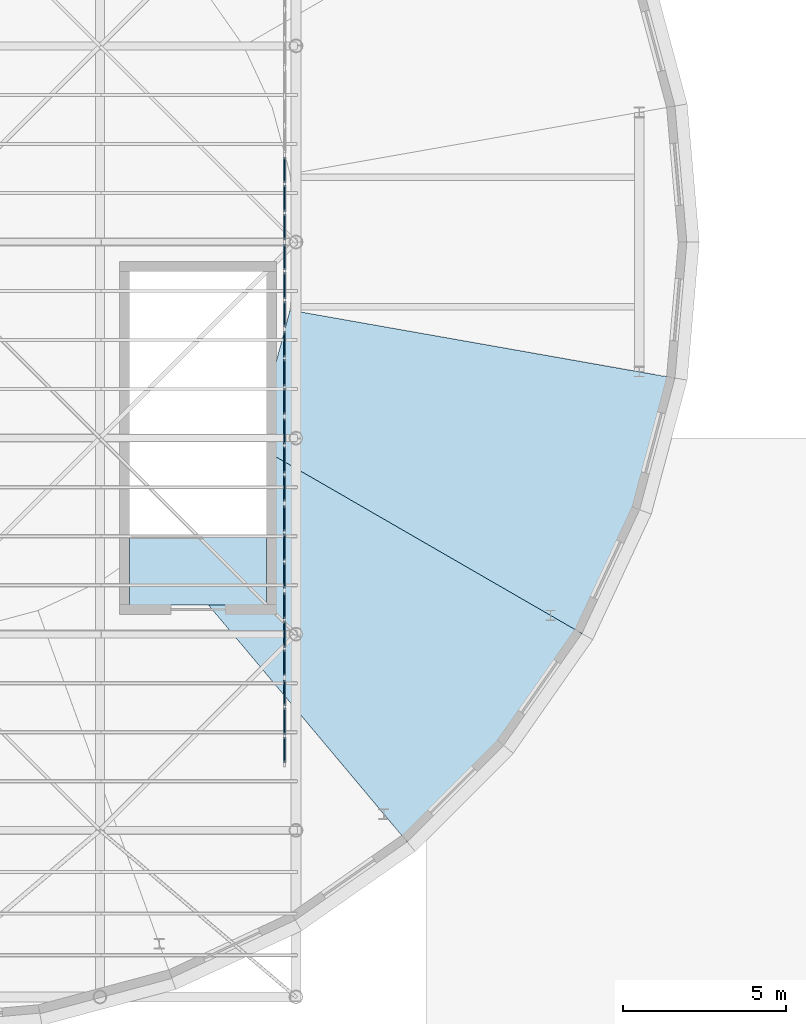
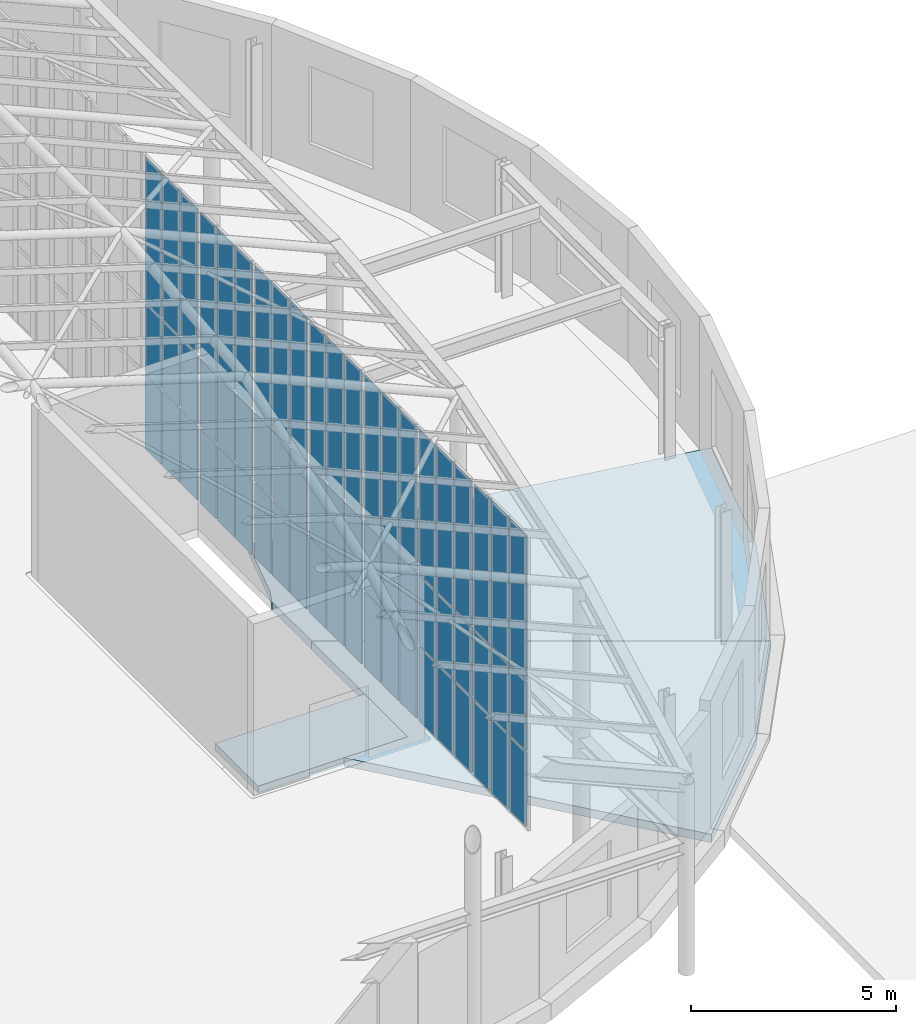
# One storey, part 58 of 75: 63 plates, 3 slabs, 7 elements without a shape of their own.
"""IFC4 building model written with IfcOpenShell, lengths in metres."""

from ifc_helpers import new_model, si_unit, direction, frame, origin, origin_2d, place, context, subcontext, project, spatial, polyline, rectangle, outline, extrude, material, layer, layer_set, type_object, element, aggregate, save


model = new_model("IFC4")

# Units and contexts
model_context = context("Model", 3, precision=1e-05, world=origin(), true_north=direction((0.0, 1.0)))
body_context = subcontext(model_context, "Body", "Model", "MODEL_VIEW")
ifc_project = project(units=[si_unit("LENGTHUNIT", "METRE"), si_unit("AREAUNIT", "SQUARE_METRE"), si_unit("VOLUMEUNIT", "CUBIC_METRE"), si_unit("PLANEANGLEUNIT", "RADIAN"), si_unit("MASSUNIT", "GRAM", prefix="KILO")], contexts=[model_context])

# Site, building, storey
site_placement = place(None, origin())
site = spatial("IfcSite", under=ifc_project, at=site_placement, CompositionType="ELEMENT")
building_placement = place(site_placement, origin())
building = spatial("IfcBuilding", under=site, at=building_placement, Name="Kolvaren Corner Interchange", CompositionType="ELEMENT")
storey_placement = place(building_placement, frame((0.0, 0.0, 10.5)))
storey = spatial("IfcBuildingStorey", under=building, at=storey_placement, Name="L03", CompositionType="ELEMENT", Elevation=10.5)

# Curtain wall, plates
ifc_material_1 = material(Name="Unitised Aluminium and Solar-Control Glass Curtain Wall", Category="aluminium")
curtain_wall_type = type_object("IfcCurtainWallType", Name="CW-V1-CLER", PredefinedType="NOTDEFINED", material=ifc_material_1)
curtain_wall_1_placement = place(storey_placement, origin())
curtain_wall_1 = element("IfcCurtainWall", 1, at=curtain_wall_1_placement, inside=storey, type_object=curtain_wall_type, Name="Gridshell East End Curtain Wall Bay 01", PredefinedType="NOTDEFINED")
ifc_material_2 = material(Name="Low-E Solar-Control Laminated Glass", Category="glass")
ifc_layer_1 = layer(ifc_material_2, 0.035888671875)
ifc_layer_set_1 = layer_set([ifc_layer_1], Name="Low-E Solar-Control Laminated Glass")
plate_type = type_object("IfcPlateType", Name="PLT-CW-GL32", PredefinedType="CURTAIN_PANEL", material=ifc_layer_set_1)
plate_1_placement = place(storey_placement, frame((131.64990234375, 32.4619140625, 0.06005859375), z_axis=(0.0, 0.0, 1.0), x_axis=(0.0, 1.0, 0.0)))
plate_1 = element("IfcPlate", 2, at=plate_1_placement, type_object=plate_type, Name="CW-094 panel 1.1", PredefinedType="CURTAIN_PANEL", context=body_context, shape_type="SweptSolid", body=[
    extrude(rectangle(XDim=0.783935546875, YDim=0.035888671875, at=origin_2d()), origin(), (0.0, 0.0, 1.0), 2.2099609375),
])
plate_2_placement = place(storey_placement, frame((131.64990234375, 32.4619140625, 2.330078125), z_axis=(0.0, 0.0, 1.0), x_axis=(0.0, 1.0, 0.0)))
plate_2 = element("IfcPlate", 3, at=plate_2_placement, type_object=plate_type, Name="CW-094 panel 1.2", PredefinedType="CURTAIN_PANEL", context=body_context, shape_type="SweptSolid", body=[
    extrude(rectangle(XDim=0.783935546875, YDim=0.035888671875, at=origin_2d()), origin(), (0.0, 0.0, 1.0), 2.0400390625),
])
plate_3_placement = place(storey_placement, frame((131.64990234375, 32.4619140625, 4.43017578125), z_axis=(0.0, 0.0, 1.0), x_axis=(0.0, 1.0, 0.0)))
plate_3 = element("IfcPlate", 4, at=plate_3_placement, type_object=plate_type, Name="CW-094 panel 1.3", PredefinedType="CURTAIN_PANEL", context=body_context, shape_type="SweptSolid", body=[
    extrude(rectangle(XDim=0.783935546875, YDim=0.035888671875, at=origin_2d()), origin(), (0.0, 0.0, 1.0), 4.281982421875),
])
plate_4_placement = place(storey_placement, frame((131.64990234375, 33.333251953125, 0.06005859375), z_axis=(0.0, 0.0, 1.0), x_axis=(0.0, 1.0, 0.0)))
plate_4 = element("IfcPlate", 5, at=plate_4_placement, type_object=plate_type, Name="CW-094 panel 2.1", PredefinedType="CURTAIN_PANEL", context=body_context, shape_type="SweptSolid", body=[
    extrude(rectangle(XDim=0.81884765625, YDim=0.035888671875, at=origin_2d()), origin(), (0.0, 0.0, 1.0), 2.2099609375),
])
plate_5_placement = place(storey_placement, frame((131.64990234375, 33.333251953125, 2.330078125), z_axis=(0.0, 0.0, 1.0), x_axis=(0.0, 1.0, 0.0)))
plate_5 = element("IfcPlate", 6, at=plate_5_placement, type_object=plate_type, Name="CW-094 panel 2.2", PredefinedType="CURTAIN_PANEL", context=body_context, shape_type="SweptSolid", body=[
    extrude(rectangle(XDim=0.81884765625, YDim=0.035888671875, at=origin_2d()), origin(), (0.0, 0.0, 1.0), 2.0400390625),
])
plate_6_placement = place(storey_placement, frame((131.64990234375, 33.333251953125, 4.43017578125), z_axis=(0.0, 0.0, 1.0), x_axis=(0.0, 1.0, 0.0)))
plate_6 = element("IfcPlate", 7, at=plate_6_placement, type_object=plate_type, Name="CW-094 panel 2.3", PredefinedType="CURTAIN_PANEL", context=body_context, shape_type="SweptSolid", body=[
    extrude(rectangle(XDim=0.81884765625, YDim=0.035888671875, at=origin_2d()), origin(), (0.0, 0.0, 1.0), 4.281982421875),
])
plate_7_placement = place(storey_placement, frame((131.64990234375, 34.204833984375, 0.06005859375), z_axis=(0.0, 0.0, 1.0), x_axis=(0.0, 1.0, 0.0)))
plate_7 = element("IfcPlate", 8, at=plate_7_placement, type_object=plate_type, Name="CW-094 panel 3.1", PredefinedType="CURTAIN_PANEL", context=body_context, shape_type="SweptSolid", body=[
    extrude(rectangle(XDim=0.783935546875, YDim=0.035888671875, at=origin_2d()), origin(), (0.0, 0.0, 1.0), 2.2099609375),
])
plate_8_placement = place(storey_placement, frame((131.64990234375, 34.204833984375, 2.330078125), z_axis=(0.0, 0.0, 1.0), x_axis=(0.0, 1.0, 0.0)))
plate_8 = element("IfcPlate", 9, at=plate_8_placement, type_object=plate_type, Name="CW-094 panel 3.2", PredefinedType="CURTAIN_PANEL", context=body_context, shape_type="SweptSolid", body=[
    extrude(rectangle(XDim=0.783935546875, YDim=0.035888671875, at=origin_2d()), origin(), (0.0, 0.0, 1.0), 2.0400390625),
])
plate_9_placement = place(storey_placement, frame((131.64990234375, 34.204833984375, 4.43017578125), z_axis=(0.0, 0.0, 1.0), x_axis=(0.0, 1.0, 0.0)))
plate_9 = element("IfcPlate", 10, at=plate_9_placement, type_object=plate_type, Name="CW-094 panel 3.3", PredefinedType="CURTAIN_PANEL", context=body_context, shape_type="SweptSolid", body=[
    extrude(rectangle(XDim=0.783935546875, YDim=0.035888671875, at=origin_2d()), origin(), (0.0, 0.0, 1.0), 4.281982421875),
])
aggregate(curtain_wall_1, [plate_1, plate_2, plate_3, plate_4, plate_5, plate_6, plate_7, plate_8, plate_9])

curtain_wall_2_placement = place(storey_placement, origin())
curtain_wall_2 = element("IfcCurtainWall", 11, at=curtain_wall_2_placement, inside=storey, type_object=curtain_wall_type, Name="Gridshell East End Curtain Wall Bay 02", PredefinedType="NOTDEFINED")
plate_10_placement = place(storey_placement, frame((131.64990234375, 35.128662109375, 0.06005859375), z_axis=(0.0, 0.0, 1.0), x_axis=(0.0, 1.0, 0.0)))
plate_10 = element("IfcPlate", 12, at=plate_10_placement, type_object=plate_type, Name="CW-095 panel 1.1", PredefinedType="CURTAIN_PANEL", context=body_context, shape_type="SweptSolid", body=[
    extrude(rectangle(XDim=0.783935546875, YDim=0.035888671875, at=origin_2d()), origin(), (0.0, 0.0, 1.0), 2.2099609375),
])
plate_11_placement = place(storey_placement, frame((131.64990234375, 35.128662109375, 2.330078125), z_axis=(0.0, 0.0, 1.0), x_axis=(0.0, 1.0, 0.0)))
plate_11 = element("IfcPlate", 13, at=plate_11_placement, type_object=plate_type, Name="CW-095 panel 1.2", PredefinedType="CURTAIN_PANEL", context=body_context, shape_type="SweptSolid", body=[
    extrude(rectangle(XDim=0.783935546875, YDim=0.035888671875, at=origin_2d()), origin(), (0.0, 0.0, 1.0), 2.0400390625),
])
plate_12_placement = place(storey_placement, frame((131.64990234375, 35.128662109375, 4.43017578125), z_axis=(0.0, 0.0, 1.0), x_axis=(0.0, 1.0, 0.0)))
plate_12 = element("IfcPlate", 14, at=plate_12_placement, type_object=plate_type, Name="CW-095 panel 1.3", PredefinedType="CURTAIN_PANEL", context=body_context, shape_type="SweptSolid", body=[
    extrude(rectangle(XDim=0.783935546875, YDim=0.035888671875, at=origin_2d()), origin(), (0.0, 0.0, 1.0), 4.281982421875),
])
plate_13_placement = place(storey_placement, frame((131.64990234375, 36.0, 0.06005859375), z_axis=(0.0, 0.0, 1.0), x_axis=(0.0, 1.0, 0.0)))
plate_13 = element("IfcPlate", 15, at=plate_13_placement, type_object=plate_type, Name="CW-095 panel 2.1", PredefinedType="CURTAIN_PANEL", context=body_context, shape_type="SweptSolid", body=[
    extrude(rectangle(XDim=0.81884765625, YDim=0.035888671875, at=origin_2d()), origin(), (0.0, 0.0, 1.0), 2.2099609375),
])
plate_14_placement = place(storey_placement, frame((131.64990234375, 36.0, 2.330078125), z_axis=(0.0, 0.0, 1.0), x_axis=(0.0, 1.0, 0.0)))
plate_14 = element("IfcPlate", 16, at=plate_14_placement, type_object=plate_type, Name="CW-095 panel 2.2", PredefinedType="CURTAIN_PANEL", context=body_context, shape_type="SweptSolid", body=[
    extrude(rectangle(XDim=0.81884765625, YDim=0.035888671875, at=origin_2d()), origin(), (0.0, 0.0, 1.0), 2.0400390625),
])
plate_15_placement = place(storey_placement, frame((131.64990234375, 36.0, 4.43017578125), z_axis=(0.0, 0.0, 1.0), x_axis=(0.0, 1.0, 0.0)))
plate_15 = element("IfcPlate", 17, at=plate_15_placement, type_object=plate_type, Name="CW-095 panel 2.3", PredefinedType="CURTAIN_PANEL", context=body_context, shape_type="SweptSolid", body=[
    extrude(rectangle(XDim=0.81884765625, YDim=0.035888671875, at=origin_2d()), origin(), (0.0, 0.0, 1.0), 4.281982421875),
])
plate_16_placement = place(storey_placement, frame((131.64990234375, 36.871337890625, 0.06005859375), z_axis=(0.0, 0.0, 1.0), x_axis=(0.0, 1.0, 0.0)))
plate_16 = element("IfcPlate", 18, at=plate_16_placement, type_object=plate_type, Name="CW-095 panel 3.1", PredefinedType="CURTAIN_PANEL", context=body_context, shape_type="SweptSolid", body=[
    extrude(rectangle(XDim=0.783935546875, YDim=0.035888671875, at=origin_2d()), origin(), (0.0, 0.0, 1.0), 2.2099609375),
])
plate_17_placement = place(storey_placement, frame((131.64990234375, 36.871337890625, 2.330078125), z_axis=(0.0, 0.0, 1.0), x_axis=(0.0, 1.0, 0.0)))
plate_17 = element("IfcPlate", 19, at=plate_17_placement, type_object=plate_type, Name="CW-095 panel 3.2", PredefinedType="CURTAIN_PANEL", context=body_context, shape_type="SweptSolid", body=[
    extrude(rectangle(XDim=0.783935546875, YDim=0.035888671875, at=origin_2d()), origin(), (0.0, 0.0, 1.0), 2.0400390625),
])
plate_18_placement = place(storey_placement, frame((131.64990234375, 36.871337890625, 4.43017578125), z_axis=(0.0, 0.0, 1.0), x_axis=(0.0, 1.0, 0.0)))
plate_18 = element("IfcPlate", 20, at=plate_18_placement, type_object=plate_type, Name="CW-095 panel 3.3", PredefinedType="CURTAIN_PANEL", context=body_context, shape_type="SweptSolid", body=[
    extrude(rectangle(XDim=0.783935546875, YDim=0.035888671875, at=origin_2d()), origin(), (0.0, 0.0, 1.0), 4.281982421875),
])
aggregate(curtain_wall_2, [plate_10, plate_11, plate_12, plate_13, plate_14, plate_15, plate_16, plate_17, plate_18])

curtain_wall_3_placement = place(storey_placement, origin())
curtain_wall_3 = element("IfcCurtainWall", 21, at=curtain_wall_3_placement, inside=storey, type_object=curtain_wall_type, Name="Gridshell East End Curtain Wall Bay 03", PredefinedType="NOTDEFINED")
plate_19_placement = place(storey_placement, frame((131.64990234375, 37.795166015625, 0.06005859375), z_axis=(0.0, 0.0, 1.0), x_axis=(0.0, 1.0, 0.0)))
plate_19 = element("IfcPlate", 22, at=plate_19_placement, type_object=plate_type, Name="CW-096 panel 1.1", PredefinedType="CURTAIN_PANEL", context=body_context, shape_type="SweptSolid", body=[
    extrude(rectangle(XDim=0.783935546875, YDim=0.035888671875, at=origin_2d()), origin(), (0.0, 0.0, 1.0), 2.2099609375),
])
plate_20_placement = place(storey_placement, frame((131.64990234375, 37.795166015625, 2.330078125), z_axis=(0.0, 0.0, 1.0), x_axis=(0.0, 1.0, 0.0)))
plate_20 = element("IfcPlate", 23, at=plate_20_placement, type_object=plate_type, Name="CW-096 panel 1.2", PredefinedType="CURTAIN_PANEL", context=body_context, shape_type="SweptSolid", body=[
    extrude(rectangle(XDim=0.783935546875, YDim=0.035888671875, at=origin_2d()), origin(), (0.0, 0.0, 1.0), 2.0400390625),
])
plate_21_placement = place(storey_placement, frame((131.64990234375, 37.795166015625, 4.43017578125), z_axis=(0.0, 0.0, 1.0), x_axis=(0.0, 1.0, 0.0)))
plate_21 = element("IfcPlate", 24, at=plate_21_placement, type_object=plate_type, Name="CW-096 panel 1.3", PredefinedType="CURTAIN_PANEL", context=body_context, shape_type="SweptSolid", body=[
    extrude(rectangle(XDim=0.783935546875, YDim=0.035888671875, at=origin_2d()), origin(), (0.0, 0.0, 1.0), 4.281982421875),
])
plate_22_placement = place(storey_placement, frame((131.64990234375, 38.666748046875, 0.06005859375), z_axis=(0.0, 0.0, 1.0), x_axis=(0.0, 1.0, 0.0)))
plate_22 = element("IfcPlate", 25, at=plate_22_placement, type_object=plate_type, Name="CW-096 panel 2.1", PredefinedType="CURTAIN_PANEL", context=body_context, shape_type="SweptSolid", body=[
    extrude(rectangle(XDim=0.81884765625, YDim=0.035888671875, at=origin_2d()), origin(), (0.0, 0.0, 1.0), 2.2099609375),
])
plate_23_placement = place(storey_placement, frame((131.64990234375, 38.666748046875, 2.330078125), z_axis=(0.0, 0.0, 1.0), x_axis=(0.0, 1.0, 0.0)))
plate_23 = element("IfcPlate", 26, at=plate_23_placement, type_object=plate_type, Name="CW-096 panel 2.2", PredefinedType="CURTAIN_PANEL", context=body_context, shape_type="SweptSolid", body=[
    extrude(rectangle(XDim=0.81884765625, YDim=0.035888671875, at=origin_2d()), origin(), (0.0, 0.0, 1.0), 2.0400390625),
])
plate_24_placement = place(storey_placement, frame((131.64990234375, 38.666748046875, 4.43017578125), z_axis=(0.0, 0.0, 1.0), x_axis=(0.0, 1.0, 0.0)))
plate_24 = element("IfcPlate", 27, at=plate_24_placement, type_object=plate_type, Name="CW-096 panel 2.3", PredefinedType="CURTAIN_PANEL", context=body_context, shape_type="SweptSolid", body=[
    extrude(rectangle(XDim=0.81884765625, YDim=0.035888671875, at=origin_2d()), origin(), (0.0, 0.0, 1.0), 4.281982421875),
])
plate_25_placement = place(storey_placement, frame((131.64990234375, 39.5380859375, 0.06005859375), z_axis=(0.0, 0.0, 1.0), x_axis=(0.0, 1.0, 0.0)))
plate_25 = element("IfcPlate", 28, at=plate_25_placement, type_object=plate_type, Name="CW-096 panel 3.1", PredefinedType="CURTAIN_PANEL", context=body_context, shape_type="SweptSolid", body=[
    extrude(rectangle(XDim=0.783935546875, YDim=0.035888671875, at=origin_2d()), origin(), (0.0, 0.0, 1.0), 2.2099609375),
])
plate_26_placement = place(storey_placement, frame((131.64990234375, 39.5380859375, 2.330078125), z_axis=(0.0, 0.0, 1.0), x_axis=(0.0, 1.0, 0.0)))
plate_26 = element("IfcPlate", 29, at=plate_26_placement, type_object=plate_type, Name="CW-096 panel 3.2", PredefinedType="CURTAIN_PANEL", context=body_context, shape_type="SweptSolid", body=[
    extrude(rectangle(XDim=0.783935546875, YDim=0.035888671875, at=origin_2d()), origin(), (0.0, 0.0, 1.0), 2.0400390625),
])
plate_27_placement = place(storey_placement, frame((131.64990234375, 39.5380859375, 4.43017578125), z_axis=(0.0, 0.0, 1.0), x_axis=(0.0, 1.0, 0.0)))
plate_27 = element("IfcPlate", 30, at=plate_27_placement, type_object=plate_type, Name="CW-096 panel 3.3", PredefinedType="CURTAIN_PANEL", context=body_context, shape_type="SweptSolid", body=[
    extrude(rectangle(XDim=0.783935546875, YDim=0.035888671875, at=origin_2d()), origin(), (0.0, 0.0, 1.0), 4.281982421875),
])
aggregate(curtain_wall_3, [plate_19, plate_20, plate_21, plate_22, plate_23, plate_24, plate_25, plate_26, plate_27])

curtain_wall_4_placement = place(storey_placement, origin())
curtain_wall_4 = element("IfcCurtainWall", 31, at=curtain_wall_4_placement, inside=storey, type_object=curtain_wall_type, Name="Gridshell East End Curtain Wall Bay 04", PredefinedType="NOTDEFINED")
plate_28_placement = place(storey_placement, frame((131.64990234375, 40.4619140625, 0.06005859375), z_axis=(0.0, 0.0, 1.0), x_axis=(0.0, 1.0, 0.0)))
plate_28 = element("IfcPlate", 32, at=plate_28_placement, type_object=plate_type, Name="CW-097 panel 1.1", PredefinedType="CURTAIN_PANEL", context=body_context, shape_type="SweptSolid", body=[
    extrude(rectangle(XDim=0.783935546875, YDim=0.035888671875, at=origin_2d()), origin(), (0.0, 0.0, 1.0), 2.2099609375),
])
plate_29_placement = place(storey_placement, frame((131.64990234375, 40.4619140625, 2.330078125), z_axis=(0.0, 0.0, 1.0), x_axis=(0.0, 1.0, 0.0)))
plate_29 = element("IfcPlate", 33, at=plate_29_placement, type_object=plate_type, Name="CW-097 panel 1.2", PredefinedType="CURTAIN_PANEL", context=body_context, shape_type="SweptSolid", body=[
    extrude(rectangle(XDim=0.783935546875, YDim=0.035888671875, at=origin_2d()), origin(), (0.0, 0.0, 1.0), 2.0400390625),
])
plate_30_placement = place(storey_placement, frame((131.64990234375, 40.4619140625, 4.43017578125), z_axis=(0.0, 0.0, 1.0), x_axis=(0.0, 1.0, 0.0)))
plate_30 = element("IfcPlate", 34, at=plate_30_placement, type_object=plate_type, Name="CW-097 panel 1.3", PredefinedType="CURTAIN_PANEL", context=body_context, shape_type="SweptSolid", body=[
    extrude(rectangle(XDim=0.783935546875, YDim=0.035888671875, at=origin_2d()), origin(), (0.0, 0.0, 1.0), 4.281982421875),
])
plate_31_placement = place(storey_placement, frame((131.64990234375, 41.333251953125, 0.06005859375), z_axis=(0.0, 0.0, 1.0), x_axis=(0.0, 1.0, 0.0)))
plate_31 = element("IfcPlate", 35, at=plate_31_placement, type_object=plate_type, Name="CW-097 panel 2.1", PredefinedType="CURTAIN_PANEL", context=body_context, shape_type="SweptSolid", body=[
    extrude(rectangle(XDim=0.81884765625, YDim=0.035888671875, at=origin_2d()), origin(), (0.0, 0.0, 1.0), 2.2099609375),
])
plate_32_placement = place(storey_placement, frame((131.64990234375, 41.333251953125, 2.330078125), z_axis=(0.0, 0.0, 1.0), x_axis=(0.0, 1.0, 0.0)))
plate_32 = element("IfcPlate", 36, at=plate_32_placement, type_object=plate_type, Name="CW-097 panel 2.2", PredefinedType="CURTAIN_PANEL", context=body_context, shape_type="SweptSolid", body=[
    extrude(rectangle(XDim=0.81884765625, YDim=0.035888671875, at=origin_2d()), origin(), (0.0, 0.0, 1.0), 2.0400390625),
])
plate_33_placement = place(storey_placement, frame((131.64990234375, 41.333251953125, 4.43017578125), z_axis=(0.0, 0.0, 1.0), x_axis=(0.0, 1.0, 0.0)))
plate_33 = element("IfcPlate", 37, at=plate_33_placement, type_object=plate_type, Name="CW-097 panel 2.3", PredefinedType="CURTAIN_PANEL", context=body_context, shape_type="SweptSolid", body=[
    extrude(rectangle(XDim=0.81884765625, YDim=0.035888671875, at=origin_2d()), origin(), (0.0, 0.0, 1.0), 4.281982421875),
])
plate_34_placement = place(storey_placement, frame((131.64990234375, 42.204833984375, 0.06005859375), z_axis=(0.0, 0.0, 1.0), x_axis=(0.0, 1.0, 0.0)))
plate_34 = element("IfcPlate", 38, at=plate_34_placement, type_object=plate_type, Name="CW-097 panel 3.1", PredefinedType="CURTAIN_PANEL", context=body_context, shape_type="SweptSolid", body=[
    extrude(rectangle(XDim=0.783935546875, YDim=0.035888671875, at=origin_2d()), origin(), (0.0, 0.0, 1.0), 2.2099609375),
])
plate_35_placement = place(storey_placement, frame((131.64990234375, 42.204833984375, 2.330078125), z_axis=(0.0, 0.0, 1.0), x_axis=(0.0, 1.0, 0.0)))
plate_35 = element("IfcPlate", 39, at=plate_35_placement, type_object=plate_type, Name="CW-097 panel 3.2", PredefinedType="CURTAIN_PANEL", context=body_context, shape_type="SweptSolid", body=[
    extrude(rectangle(XDim=0.783935546875, YDim=0.035888671875, at=origin_2d()), origin(), (0.0, 0.0, 1.0), 2.0400390625),
])
plate_36_placement = place(storey_placement, frame((131.64990234375, 42.204833984375, 4.43017578125), z_axis=(0.0, 0.0, 1.0), x_axis=(0.0, 1.0, 0.0)))
plate_36 = element("IfcPlate", 40, at=plate_36_placement, type_object=plate_type, Name="CW-097 panel 3.3", PredefinedType="CURTAIN_PANEL", context=body_context, shape_type="SweptSolid", body=[
    extrude(rectangle(XDim=0.783935546875, YDim=0.035888671875, at=origin_2d()), origin(), (0.0, 0.0, 1.0), 4.281982421875),
])
aggregate(curtain_wall_4, [plate_28, plate_29, plate_30, plate_31, plate_32, plate_33, plate_34, plate_35, plate_36])

curtain_wall_5_placement = place(storey_placement, origin())
curtain_wall_5 = element("IfcCurtainWall", 41, at=curtain_wall_5_placement, inside=storey, type_object=curtain_wall_type, Name="Gridshell East End Curtain Wall Bay 05", PredefinedType="NOTDEFINED")
plate_37_placement = place(storey_placement, frame((131.64990234375, 43.128662109375, 0.06005859375), z_axis=(0.0, 0.0, 1.0), x_axis=(0.0, 1.0, 0.0)))
plate_37 = element("IfcPlate", 42, at=plate_37_placement, type_object=plate_type, Name="CW-098 panel 1.1", PredefinedType="CURTAIN_PANEL", context=body_context, shape_type="SweptSolid", body=[
    extrude(rectangle(XDim=0.783935546875, YDim=0.035888671875, at=origin_2d()), origin(), (0.0, 0.0, 1.0), 2.2099609375),
])
plate_38_placement = place(storey_placement, frame((131.64990234375, 43.128662109375, 2.330078125), z_axis=(0.0, 0.0, 1.0), x_axis=(0.0, 1.0, 0.0)))
plate_38 = element("IfcPlate", 43, at=plate_38_placement, type_object=plate_type, Name="CW-098 panel 1.2", PredefinedType="CURTAIN_PANEL", context=body_context, shape_type="SweptSolid", body=[
    extrude(rectangle(XDim=0.783935546875, YDim=0.035888671875, at=origin_2d()), origin(), (0.0, 0.0, 1.0), 2.0400390625),
])
plate_39_placement = place(storey_placement, frame((131.64990234375, 43.128662109375, 4.43017578125), z_axis=(0.0, 0.0, 1.0), x_axis=(0.0, 1.0, 0.0)))
plate_39 = element("IfcPlate", 44, at=plate_39_placement, type_object=plate_type, Name="CW-098 panel 1.3", PredefinedType="CURTAIN_PANEL", context=body_context, shape_type="SweptSolid", body=[
    extrude(rectangle(XDim=0.783935546875, YDim=0.035888671875, at=origin_2d()), origin(), (0.0, 0.0, 1.0), 4.281982421875),
])
plate_40_placement = place(storey_placement, frame((131.64990234375, 44.0, 0.06005859375), z_axis=(0.0, 0.0, 1.0), x_axis=(0.0, 1.0, 0.0)))
plate_40 = element("IfcPlate", 45, at=plate_40_placement, type_object=plate_type, Name="CW-098 panel 2.1", PredefinedType="CURTAIN_PANEL", context=body_context, shape_type="SweptSolid", body=[
    extrude(rectangle(XDim=0.81884765625, YDim=0.035888671875, at=origin_2d()), origin(), (0.0, 0.0, 1.0), 2.2099609375),
])
plate_41_placement = place(storey_placement, frame((131.64990234375, 44.0, 2.330078125), z_axis=(0.0, 0.0, 1.0), x_axis=(0.0, 1.0, 0.0)))
plate_41 = element("IfcPlate", 46, at=plate_41_placement, type_object=plate_type, Name="CW-098 panel 2.2", PredefinedType="CURTAIN_PANEL", context=body_context, shape_type="SweptSolid", body=[
    extrude(rectangle(XDim=0.81884765625, YDim=0.035888671875, at=origin_2d()), origin(), (0.0, 0.0, 1.0), 2.0400390625),
])
plate_42_placement = place(storey_placement, frame((131.64990234375, 44.0, 4.43017578125), z_axis=(0.0, 0.0, 1.0), x_axis=(0.0, 1.0, 0.0)))
plate_42 = element("IfcPlate", 47, at=plate_42_placement, type_object=plate_type, Name="CW-098 panel 2.3", PredefinedType="CURTAIN_PANEL", context=body_context, shape_type="SweptSolid", body=[
    extrude(rectangle(XDim=0.81884765625, YDim=0.035888671875, at=origin_2d()), origin(), (0.0, 0.0, 1.0), 4.281982421875),
])
plate_43_placement = place(storey_placement, frame((131.64990234375, 44.871337890625, 0.06005859375), z_axis=(0.0, 0.0, 1.0), x_axis=(0.0, 1.0, 0.0)))
plate_43 = element("IfcPlate", 48, at=plate_43_placement, type_object=plate_type, Name="CW-098 panel 3.1", PredefinedType="CURTAIN_PANEL", context=body_context, shape_type="SweptSolid", body=[
    extrude(rectangle(XDim=0.783935546875, YDim=0.035888671875, at=origin_2d()), origin(), (0.0, 0.0, 1.0), 2.2099609375),
])
plate_44_placement = place(storey_placement, frame((131.64990234375, 44.871337890625, 2.330078125), z_axis=(0.0, 0.0, 1.0), x_axis=(0.0, 1.0, 0.0)))
plate_44 = element("IfcPlate", 49, at=plate_44_placement, type_object=plate_type, Name="CW-098 panel 3.2", PredefinedType="CURTAIN_PANEL", context=body_context, shape_type="SweptSolid", body=[
    extrude(rectangle(XDim=0.783935546875, YDim=0.035888671875, at=origin_2d()), origin(), (0.0, 0.0, 1.0), 2.0400390625),
])
plate_45_placement = place(storey_placement, frame((131.64990234375, 44.871337890625, 4.43017578125), z_axis=(0.0, 0.0, 1.0), x_axis=(0.0, 1.0, 0.0)))
plate_45 = element("IfcPlate", 50, at=plate_45_placement, type_object=plate_type, Name="CW-098 panel 3.3", PredefinedType="CURTAIN_PANEL", context=body_context, shape_type="SweptSolid", body=[
    extrude(rectangle(XDim=0.783935546875, YDim=0.035888671875, at=origin_2d()), origin(), (0.0, 0.0, 1.0), 4.281982421875),
])
aggregate(curtain_wall_5, [plate_37, plate_38, plate_39, plate_40, plate_41, plate_42, plate_43, plate_44, plate_45])

curtain_wall_6_placement = place(storey_placement, origin())
curtain_wall_6 = element("IfcCurtainWall", 51, at=curtain_wall_6_placement, inside=storey, type_object=curtain_wall_type, Name="Gridshell East End Curtain Wall Bay 06", PredefinedType="NOTDEFINED")
plate_46_placement = place(storey_placement, frame((131.64990234375, 45.795166015625, 0.06005859375), z_axis=(0.0, 0.0, 1.0), x_axis=(0.0, 1.0, 0.0)))
plate_46 = element("IfcPlate", 52, at=plate_46_placement, type_object=plate_type, Name="CW-099 panel 1.1", PredefinedType="CURTAIN_PANEL", context=body_context, shape_type="SweptSolid", body=[
    extrude(rectangle(XDim=0.783935546875, YDim=0.035888671875, at=origin_2d()), origin(), (0.0, 0.0, 1.0), 2.2099609375),
])
plate_47_placement = place(storey_placement, frame((131.64990234375, 45.795166015625, 2.330078125), z_axis=(0.0, 0.0, 1.0), x_axis=(0.0, 1.0, 0.0)))
plate_47 = element("IfcPlate", 53, at=plate_47_placement, type_object=plate_type, Name="CW-099 panel 1.2", PredefinedType="CURTAIN_PANEL", context=body_context, shape_type="SweptSolid", body=[
    extrude(rectangle(XDim=0.783935546875, YDim=0.035888671875, at=origin_2d()), origin(), (0.0, 0.0, 1.0), 2.0400390625),
])
plate_48_placement = place(storey_placement, frame((131.64990234375, 45.795166015625, 4.43017578125), z_axis=(0.0, 0.0, 1.0), x_axis=(0.0, 1.0, 0.0)))
plate_48 = element("IfcPlate", 54, at=plate_48_placement, type_object=plate_type, Name="CW-099 panel 1.3", PredefinedType="CURTAIN_PANEL", context=body_context, shape_type="SweptSolid", body=[
    extrude(rectangle(XDim=0.783935546875, YDim=0.035888671875, at=origin_2d()), origin(), (0.0, 0.0, 1.0), 4.281982421875),
])
plate_49_placement = place(storey_placement, frame((131.64990234375, 46.666748046875, 0.06005859375), z_axis=(0.0, 0.0, 1.0), x_axis=(0.0, 1.0, 0.0)))
plate_49 = element("IfcPlate", 55, at=plate_49_placement, type_object=plate_type, Name="CW-099 panel 2.1", PredefinedType="CURTAIN_PANEL", context=body_context, shape_type="SweptSolid", body=[
    extrude(rectangle(XDim=0.81884765625, YDim=0.035888671875, at=origin_2d()), origin(), (0.0, 0.0, 1.0), 2.2099609375),
])
plate_50_placement = place(storey_placement, frame((131.64990234375, 46.666748046875, 2.330078125), z_axis=(0.0, 0.0, 1.0), x_axis=(0.0, 1.0, 0.0)))
plate_50 = element("IfcPlate", 56, at=plate_50_placement, type_object=plate_type, Name="CW-099 panel 2.2", PredefinedType="CURTAIN_PANEL", context=body_context, shape_type="SweptSolid", body=[
    extrude(rectangle(XDim=0.81884765625, YDim=0.035888671875, at=origin_2d()), origin(), (0.0, 0.0, 1.0), 2.0400390625),
])
plate_51_placement = place(storey_placement, frame((131.64990234375, 46.666748046875, 4.43017578125), z_axis=(0.0, 0.0, 1.0), x_axis=(0.0, 1.0, 0.0)))
plate_51 = element("IfcPlate", 57, at=plate_51_placement, type_object=plate_type, Name="CW-099 panel 2.3", PredefinedType="CURTAIN_PANEL", context=body_context, shape_type="SweptSolid", body=[
    extrude(rectangle(XDim=0.81884765625, YDim=0.035888671875, at=origin_2d()), origin(), (0.0, 0.0, 1.0), 4.281982421875),
])
plate_52_placement = place(storey_placement, frame((131.64990234375, 47.5380859375, 0.06005859375), z_axis=(0.0, 0.0, 1.0), x_axis=(0.0, 1.0, 0.0)))
plate_52 = element("IfcPlate", 58, at=plate_52_placement, type_object=plate_type, Name="CW-099 panel 3.1", PredefinedType="CURTAIN_PANEL", context=body_context, shape_type="SweptSolid", body=[
    extrude(rectangle(XDim=0.783935546875, YDim=0.035888671875, at=origin_2d()), origin(), (0.0, 0.0, 1.0), 2.2099609375),
])
plate_53_placement = place(storey_placement, frame((131.64990234375, 47.5380859375, 2.330078125), z_axis=(0.0, 0.0, 1.0), x_axis=(0.0, 1.0, 0.0)))
plate_53 = element("IfcPlate", 59, at=plate_53_placement, type_object=plate_type, Name="CW-099 panel 3.2", PredefinedType="CURTAIN_PANEL", context=body_context, shape_type="SweptSolid", body=[
    extrude(rectangle(XDim=0.783935546875, YDim=0.035888671875, at=origin_2d()), origin(), (0.0, 0.0, 1.0), 2.0400390625),
])
plate_54_placement = place(storey_placement, frame((131.64990234375, 47.5380859375, 4.43017578125), z_axis=(0.0, 0.0, 1.0), x_axis=(0.0, 1.0, 0.0)))
plate_54 = element("IfcPlate", 60, at=plate_54_placement, type_object=plate_type, Name="CW-099 panel 3.3", PredefinedType="CURTAIN_PANEL", context=body_context, shape_type="SweptSolid", body=[
    extrude(rectangle(XDim=0.783935546875, YDim=0.035888671875, at=origin_2d()), origin(), (0.0, 0.0, 1.0), 4.281982421875),
])
aggregate(curtain_wall_6, [plate_46, plate_47, plate_48, plate_49, plate_50, plate_51, plate_52, plate_53, plate_54])

curtain_wall_7_placement = place(storey_placement, origin())
curtain_wall_7 = element("IfcCurtainWall", 61, at=curtain_wall_7_placement, inside=storey, type_object=curtain_wall_type, Name="Gridshell East End Curtain Wall Bay 07", PredefinedType="NOTDEFINED")
plate_55_placement = place(storey_placement, frame((131.64990234375, 48.4619140625, 0.06005859375), z_axis=(0.0, 0.0, 1.0), x_axis=(0.0, 1.0, 0.0)))
plate_55 = element("IfcPlate", 62, at=plate_55_placement, type_object=plate_type, Name="CW-100 panel 1.1", PredefinedType="CURTAIN_PANEL", context=body_context, shape_type="SweptSolid", body=[
    extrude(rectangle(XDim=0.783935546875, YDim=0.035888671875, at=origin_2d()), origin(), (0.0, 0.0, 1.0), 2.2099609375),
])
plate_56_placement = place(storey_placement, frame((131.64990234375, 48.4619140625, 2.330078125), z_axis=(0.0, 0.0, 1.0), x_axis=(0.0, 1.0, 0.0)))
plate_56 = element("IfcPlate", 63, at=plate_56_placement, type_object=plate_type, Name="CW-100 panel 1.2", PredefinedType="CURTAIN_PANEL", context=body_context, shape_type="SweptSolid", body=[
    extrude(rectangle(XDim=0.783935546875, YDim=0.035888671875, at=origin_2d()), origin(), (0.0, 0.0, 1.0), 2.0400390625),
])
plate_57_placement = place(storey_placement, frame((131.64990234375, 48.4619140625, 4.43017578125), z_axis=(0.0, 0.0, 1.0), x_axis=(0.0, 1.0, 0.0)))
plate_57 = element("IfcPlate", 64, at=plate_57_placement, type_object=plate_type, Name="CW-100 panel 1.3", PredefinedType="CURTAIN_PANEL", context=body_context, shape_type="SweptSolid", body=[
    extrude(rectangle(XDim=0.783935546875, YDim=0.035888671875, at=origin_2d()), origin(), (0.0, 0.0, 1.0), 4.281982421875),
])
plate_58_placement = place(storey_placement, frame((131.64990234375, 49.333251953125, 0.06005859375), z_axis=(0.0, 0.0, 1.0), x_axis=(0.0, 1.0, 0.0)))
plate_58 = element("IfcPlate", 65, at=plate_58_placement, type_object=plate_type, Name="CW-100 panel 2.1", PredefinedType="CURTAIN_PANEL", context=body_context, shape_type="SweptSolid", body=[
    extrude(rectangle(XDim=0.81884765625, YDim=0.035888671875, at=origin_2d()), origin(), (0.0, 0.0, 1.0), 2.2099609375),
])
plate_59_placement = place(storey_placement, frame((131.64990234375, 49.333251953125, 2.330078125), z_axis=(0.0, 0.0, 1.0), x_axis=(0.0, 1.0, 0.0)))
plate_59 = element("IfcPlate", 66, at=plate_59_placement, type_object=plate_type, Name="CW-100 panel 2.2", PredefinedType="CURTAIN_PANEL", context=body_context, shape_type="SweptSolid", body=[
    extrude(rectangle(XDim=0.81884765625, YDim=0.035888671875, at=origin_2d()), origin(), (0.0, 0.0, 1.0), 2.0400390625),
])
plate_60_placement = place(storey_placement, frame((131.64990234375, 49.333251953125, 4.43017578125), z_axis=(0.0, 0.0, 1.0), x_axis=(0.0, 1.0, 0.0)))
plate_60 = element("IfcPlate", 67, at=plate_60_placement, type_object=plate_type, Name="CW-100 panel 2.3", PredefinedType="CURTAIN_PANEL", context=body_context, shape_type="SweptSolid", body=[
    extrude(rectangle(XDim=0.81884765625, YDim=0.035888671875, at=origin_2d()), origin(), (0.0, 0.0, 1.0), 4.281982421875),
])
plate_61_placement = place(storey_placement, frame((131.64990234375, 50.204833984375, 0.06005859375), z_axis=(0.0, 0.0, 1.0), x_axis=(0.0, 1.0, 0.0)))
plate_61 = element("IfcPlate", 68, at=plate_61_placement, type_object=plate_type, Name="CW-100 panel 3.1", PredefinedType="CURTAIN_PANEL", context=body_context, shape_type="SweptSolid", body=[
    extrude(rectangle(XDim=0.783935546875, YDim=0.035888671875, at=origin_2d()), origin(), (0.0, 0.0, 1.0), 2.2099609375),
])
plate_62_placement = place(storey_placement, frame((131.64990234375, 50.204833984375, 2.330078125), z_axis=(0.0, 0.0, 1.0), x_axis=(0.0, 1.0, 0.0)))
plate_62 = element("IfcPlate", 69, at=plate_62_placement, type_object=plate_type, Name="CW-100 panel 3.2", PredefinedType="CURTAIN_PANEL", context=body_context, shape_type="SweptSolid", body=[
    extrude(rectangle(XDim=0.783935546875, YDim=0.035888671875, at=origin_2d()), origin(), (0.0, 0.0, 1.0), 2.0400390625),
])
plate_63_placement = place(storey_placement, frame((131.64990234375, 50.204833984375, 4.43017578125), z_axis=(0.0, 0.0, 1.0), x_axis=(0.0, 1.0, 0.0)))
plate_63 = element("IfcPlate", 70, at=plate_63_placement, type_object=plate_type, Name="CW-100 panel 3.3", PredefinedType="CURTAIN_PANEL", context=body_context, shape_type="SweptSolid", body=[
    extrude(rectangle(XDim=0.783935546875, YDim=0.035888671875, at=origin_2d()), origin(), (0.0, 0.0, 1.0), 4.281982421875),
])
aggregate(curtain_wall_7, [plate_55, plate_56, plate_57, plate_58, plate_59, plate_60, plate_61, plate_62, plate_63])

# Slabs
ifc_material_3 = material(Name="Concrete C35/45", Category="concrete")
ifc_layer_2 = layer(ifc_material_3, 0.25)
ifc_layer_set_2 = layer_set([ifc_layer_2], Name="Concrete C35/45")
slab_type_1 = type_object("IfcSlabType", Name="SL-COMP-250", PredefinedType="FLOOR", material=ifc_layer_set_2)
slab_1_placement = place(storey_placement, frame((0.0, 0.0, -0.25)))
element("IfcSlab", 71, at=slab_1_placement, inside=storey, type_object=slab_type_1, Name="Level 03 Racetrack East Sky Gallery Radial Slab 03", PredefinedType="FLOOR", context=body_context, shape_type="SweptSolid", body=[
    extrude(outline(polyline([(138.385009765625, 32.572998046875), (140.78466796875, 36.0), (131.10009765625, 41.59130859375), (131.10009765625, 36.89990234375), (129.31396484375, 36.89990234375), (135.427001953125, 29.614990234375), (138.385009765625, 32.572998046875)])), origin(), (0.0, 0.0, 1.0), 0.25),
])
slab_2_placement = place(storey_placement, frame((0.0, 0.0, -0.25)))
element("IfcSlab", 72, at=slab_2_placement, inside=storey, type_object=slab_type_1, Name="Level 03 Racetrack East Sky Gallery Radial Slab 04", PredefinedType="FLOOR", context=body_context, shape_type="SweptSolid", body=[
    extrude(outline(polyline([(131.276611328125, 43.896484375), (131.10009765625, 43.51318359375), (131.111083984375, 41.5869140625), (140.746826171875, 36.021728515625), (140.7939453125, 36.027099609375), (142.552490234375, 39.79150390625), (143.6240234375, 43.790283203125), (143.613037109375, 43.82958984375), (131.849853515625, 45.910400390625), (131.80810546875, 45.880859375), (131.276611328125, 43.896484375)])), origin(), (0.0, 0.0, 1.0), 0.25),
])
ifc_material_4 = material(Name="Concrete C35/45", Category="concrete")
ifc_layer_3 = layer(ifc_material_4, 0.199951171875)
ifc_layer_set_3 = layer_set([ifc_layer_3], Name="Concrete C35/45")
slab_type_2 = type_object("IfcSlabType", Name="SL-STAIR-LAND200", PredefinedType="LANDING", material=ifc_layer_set_3)
slab_3_placement = place(storey_placement, frame((0.0, 0.0, -0.199951171875)))
element("IfcSlab", 73, at=slab_3_placement, inside=storey, type_object=slab_type_2, Name="East Racetrack Concourse Gallery Stair L03 Floor Arrival Landing Slab", PredefinedType="LANDING", context=body_context, shape_type="SweptSolid", body=[
    extrude(outline(polyline([(131.10009765625, 36.89990234375), (131.10009765625, 39.0), (126.89990234375, 39.0), (126.89990234375, 36.89990234375), (131.10009765625, 36.89990234375)])), origin(), (0.0, 0.0, 1.0), 0.199951171875),
])

save(model, "model.ifc")
